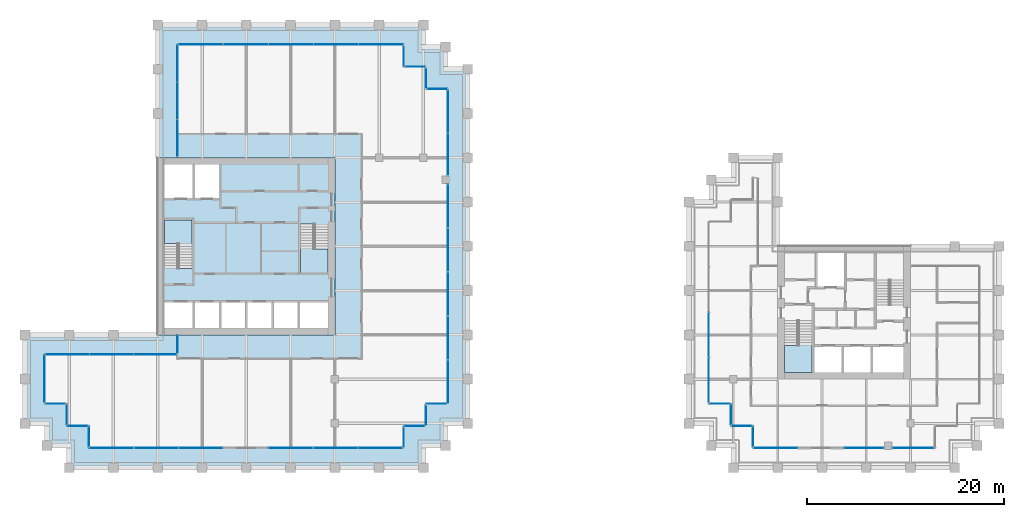
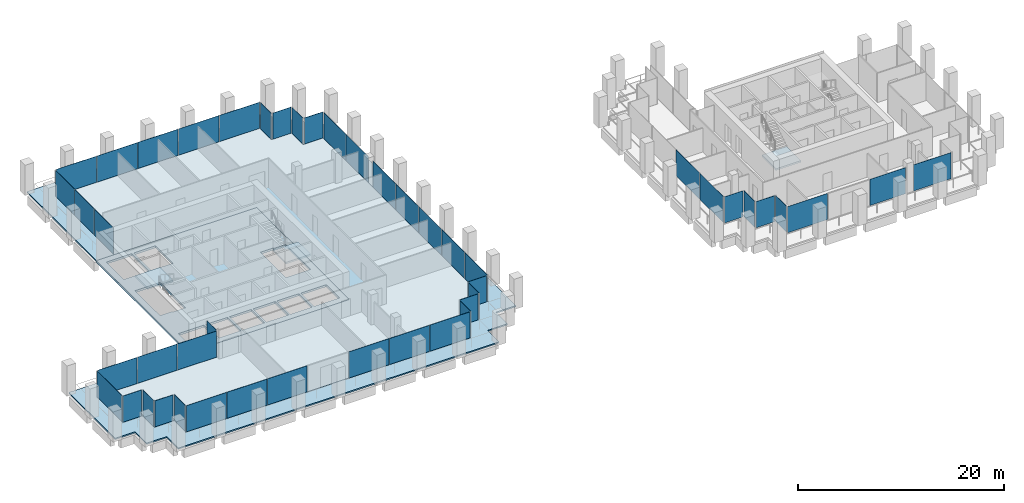
# One storey, part 39 of 47: 47 plates, 6 slabs, 32 elements without a shape of their own.
"""IFC4 building model written with IfcOpenShell, lengths in metres."""

from ifc_helpers import new_model, si_unit, direction, frame, origin, origin_2d, place, context, subcontext, project, spatial, polyline, rectangle, outline, extrude, material, layer, layer_set, type_object, element, aggregate, save


model = new_model("IFC4")

# Units and contexts
model_context = context("Model", 3, precision=1e-05, world=origin(), true_north=direction((0.0, 1.0)))
body_context = subcontext(model_context, "Body", "Model", "MODEL_VIEW")
ifc_project = project(units=[si_unit("LENGTHUNIT", "METRE"), si_unit("AREAUNIT", "SQUARE_METRE"), si_unit("VOLUMEUNIT", "CUBIC_METRE"), si_unit("PLANEANGLEUNIT", "RADIAN"), si_unit("MASSUNIT", "GRAM", prefix="KILO")], contexts=[model_context])

# Site, building, storey
site_placement = place(None, origin())
site = spatial("IfcSite", under=ifc_project, at=site_placement, CompositionType="ELEMENT")
building_placement = place(site_placement, origin())
building = spatial("IfcBuilding", under=site, at=building_placement, Name="Altepetl Exchange Towers", CompositionType="ELEMENT")
storey_placement = place(building_placement, frame((0.0, 0.0, 99.199951171875)))
storey = spatial("IfcBuildingStorey", under=building, at=storey_placement, Name="L24", CompositionType="ELEMENT", Elevation=99.199951171875)

# Slabs
ifc_material_1 = material(Name="Concrete C40/50", Category="concrete")
ifc_layer_1 = layer(ifc_material_1, 0.14990234375)
ifc_layer_set_1 = layer_set([ifc_layer_1], Name="Concrete C40/50")
slab_type_1 = type_object("IfcSlabType", Name="Composite floor slab 150", PredefinedType="FLOOR", material=ifc_layer_set_1)
slab_1_placement = place(storey_placement, frame((0.0, 0.0, -0.14990234375)))
element("IfcSlab", 1, at=slab_1_placement, inside=storey, type_object=slab_type_1, Name="slab:A:L24:strip0", PredefinedType="FLOOR", context=body_context, shape_type="SweptSolid", body=[
    extrude(outline(polyline([(42.5, 70.0), (42.5, 58.5), (58.5, 58.5), (58.5, 40.5), (42.5, 40.5), (42.5, 38.5), (29.0, 38.5), (29.0, 33.5), (31.25, 33.5), (31.25, 31.25), (33.5, 31.25), (33.5, 29.0), (65.5, 29.0), (65.5, 31.25), (67.75, 31.25), (67.75, 33.5), (70.0, 33.5), (70.0, 65.5), (67.75, 65.5), (67.75, 67.75), (65.5, 67.75), (65.5, 70.0), (42.5, 70.0)])), origin(), (0.0, 0.0, 1.0), 0.14990234375),
])
ifc_layer_2 = layer(ifc_material_1, 0.25)
ifc_layer_set_2 = layer_set([ifc_layer_2], Name="Concrete C40/50")
slab_type_2 = type_object("IfcSlabType", Name="Core floor slab 250", PredefinedType="FLOOR", material=ifc_layer_set_2)
slab_2_placement = place(storey_placement, frame((0.0, 0.0, -0.25)))
element("IfcSlab", 2, at=slab_2_placement, inside=storey, type_object=slab_type_2, Name="slab:A:L24:core0", PredefinedType="FLOOR", context=body_context, shape_type="SweptSolid", body=[
    extrude(outline(polyline([(40.5, 40.5), (58.5, 40.5), (58.5, 58.5), (40.5, 58.5), (40.5, 40.5)]), holes=[polyline([(41.199951171875, 43.800048828125), (44.06689453125, 43.800048828125), (44.06689453125, 41.199951171875), (41.199951171875, 41.199951171875), (41.199951171875, 43.800048828125)]), polyline([(44.26708984375, 43.800048828125), (46.73291015625, 43.800048828125), (46.73291015625, 41.199951171875), (44.26708984375, 41.199951171875), (44.26708984375, 43.800048828125)]), polyline([(46.93310546875, 43.800048828125), (49.39990234375, 43.800048828125), (49.39990234375, 41.199951171875), (46.93310546875, 41.199951171875), (46.93310546875, 43.800048828125)]), polyline([(52.06689453125, 43.800048828125), (52.06689453125, 41.199951171875), (49.60009765625, 41.199951171875), (49.60009765625, 43.800048828125), (52.06689453125, 43.800048828125)]), polyline([(54.73291015625, 43.800048828125), (54.73291015625, 41.199951171875), (52.26708984375, 41.199951171875), (52.26708984375, 43.800048828125), (54.73291015625, 43.800048828125)]), polyline([(54.93310546875, 43.800048828125), (57.800048828125, 43.800048828125), (57.800048828125, 41.199951171875), (54.93310546875, 41.199951171875), (54.93310546875, 43.800048828125)]), polyline([(55.0, 51.7490234375), (56.449951171875, 51.7490234375), (56.449951171875, 51.64990234375), (57.800048828125, 51.64990234375), (57.800048828125, 46.800048828125), (55.0, 46.800048828125), (55.0, 51.7490234375)]), polyline([(44.0, 47.2509765625), (42.550048828125, 47.2509765625), (42.550048828125, 47.35009765625), (41.199951171875, 47.35009765625), (41.199951171875, 52.199951171875), (44.0, 52.199951171875), (44.0, 47.2509765625)]), polyline([(44.06689453125, 57.800048828125), (44.06689453125, 54.39990234375), (41.199951171875, 54.39990234375), (41.199951171875, 57.800048828125), (44.06689453125, 57.800048828125)]), polyline([(46.73291015625, 57.800048828125), (46.73291015625, 54.39990234375), (44.26708984375, 54.39990234375), (44.26708984375, 57.800048828125), (46.73291015625, 57.800048828125)])]), origin(), (0.0, 0.0, 1.0), 0.25),
])

# Curtain wall, plate
ifc_material_2 = material(Name="Aluminium 6063-T6 glazing", Category="aluminium")
curtain_wall_type = type_object("IfcCurtainWallType", Name="Loggia glazing system", PredefinedType="NOTDEFINED", material=ifc_material_2)
curtain_wall_1_placement = place(storey_placement, origin())
curtain_wall_1 = element("IfcCurtainWall", 3, at=curtain_wall_1_placement, inside=storey, type_object=curtain_wall_type, Name="CW1 run", PredefinedType="NOTDEFINED")
ifc_material_3 = material(Name="Glass 6-16-6 low emissivity", Category="glass")
ifc_layer_3 = layer(ifc_material_3, 0.028076171875)
ifc_layer_set_3 = layer_set([ifc_layer_3], Name="Glass 6-16-6 low emissivity")
plate_type = type_object("IfcPlateType", Name="Glass panel 28 double glazed", PredefinedType="CURTAIN_PANEL", material=ifc_layer_set_3)
plate_1_placement = place(storey_placement, frame((42.5, 39.53759765625, 0.0), z_axis=(0.0, 0.0, 1.0), x_axis=(0.0, -1.0, 0.0)))
plate_1 = element("IfcPlate", 4, at=plate_1_placement, type_object=plate_type, Name="GP1 panel", PredefinedType="CURTAIN_PANEL", context=body_context, shape_type="SweptSolid", body=[
    extrude(rectangle(XDim=1.804931640625, YDim=0.028076171875, at=origin_2d()), origin(), (0.0, 0.0, 1.0), 3.10009765625),
])
aggregate(curtain_wall_1, [plate_1])

# Curtain wall, plates
curtain_wall_2_placement = place(storey_placement, origin())
curtain_wall_2 = element("IfcCurtainWall", 5, at=curtain_wall_2_placement, inside=storey, type_object=curtain_wall_type, Name="CW1 run", PredefinedType="NOTDEFINED")
plate_2_placement = place(storey_placement, frame((40.24755859375, 38.5, 0.0), z_axis=(0.0, 0.0, 1.0), x_axis=(-1.0, 0.0, 0.0)))
plate_2 = element("IfcPlate", 6, at=plate_2_placement, type_object=plate_type, Name="GP1 panel", PredefinedType="CURTAIN_PANEL", context=body_context, shape_type="SweptSolid", body=[
    extrude(rectangle(XDim=4.385009765625, YDim=0.028076171875, at=origin_2d()), origin(), (0.0, 0.0, 1.0), 3.10009765625),
])
plate_3_placement = place(storey_placement, frame((35.78759765625, 38.5, 0.0), z_axis=(0.0, 0.0, 1.0), x_axis=(-1.0, 0.0, 0.0)))
plate_3 = element("IfcPlate", 7, at=plate_3_placement, type_object=plate_type, Name="GP1 panel", PredefinedType="CURTAIN_PANEL", context=body_context, shape_type="SweptSolid", body=[
    extrude(rectangle(XDim=4.4150390625, YDim=0.028076171875, at=origin_2d()), origin(), (0.0, 0.0, 1.0), 3.10009765625),
])
plate_4_placement = place(storey_placement, frame((31.327392578125, 38.5, 0.0), z_axis=(0.0, 0.0, 1.0), x_axis=(-1.0, 0.0, 0.0)))
plate_4 = element("IfcPlate", 8, at=plate_4_placement, type_object=plate_type, Name="GP1 panel", PredefinedType="CURTAIN_PANEL", context=body_context, shape_type="SweptSolid", body=[
    extrude(rectangle(XDim=4.385009765625, YDim=0.028076171875, at=origin_2d()), origin(), (0.0, 0.0, 1.0), 3.10009765625),
])
aggregate(curtain_wall_2, [plate_2, plate_3, plate_4])

# Curtain wall, plate
curtain_wall_3_placement = place(storey_placement, origin())
curtain_wall_3 = element("IfcCurtainWall", 9, at=curtain_wall_3_placement, inside=storey, type_object=curtain_wall_type, Name="CW1 run", PredefinedType="NOTDEFINED")
plate_5_placement = place(storey_placement, frame((29.0, 36.03759765625, 0.0), z_axis=(0.0, 0.0, 1.0), x_axis=(0.0, -1.0, 0.0)))
plate_5 = element("IfcPlate", 10, at=plate_5_placement, type_object=plate_type, Name="GP1 panel", PredefinedType="CURTAIN_PANEL", context=body_context, shape_type="SweptSolid", body=[
    extrude(rectangle(XDim=4.804931640625, YDim=0.028076171875, at=origin_2d()), origin(), (0.0, 0.0, 1.0), 3.10009765625),
])
aggregate(curtain_wall_3, [plate_5])

curtain_wall_4_placement = place(storey_placement, origin())
curtain_wall_4 = element("IfcCurtainWall", 11, at=curtain_wall_4_placement, inside=storey, type_object=curtain_wall_type, Name="CW1 run", PredefinedType="NOTDEFINED")
plate_6_placement = place(storey_placement, frame((30.08740234375, 33.5, 0.0)))
plate_6 = element("IfcPlate", 12, at=plate_6_placement, type_object=plate_type, Name="GP1 panel", PredefinedType="CURTAIN_PANEL", context=body_context, shape_type="SweptSolid", body=[
    extrude(rectangle(XDim=2.054931640625, YDim=0.028076171875, at=origin_2d()), origin(), (0.0, 0.0, 1.0), 3.10009765625),
])
aggregate(curtain_wall_4, [plate_6])

curtain_wall_5_placement = place(storey_placement, origin())
curtain_wall_5 = element("IfcCurtainWall", 13, at=curtain_wall_5_placement, inside=storey, type_object=curtain_wall_type, Name="CW1 run", PredefinedType="NOTDEFINED")
plate_7_placement = place(storey_placement, frame((31.25, 32.41259765625, 0.0), z_axis=(0.0, 0.0, 1.0), x_axis=(0.0, -1.0, 0.0)))
plate_7 = element("IfcPlate", 14, at=plate_7_placement, type_object=plate_type, Name="GP1 panel", PredefinedType="CURTAIN_PANEL", context=body_context, shape_type="SweptSolid", body=[
    extrude(rectangle(XDim=2.054931640625, YDim=0.028076171875, at=origin_2d()), origin(), (0.0, 0.0, 1.0), 3.10009765625),
])
aggregate(curtain_wall_5, [plate_7])

curtain_wall_6_placement = place(storey_placement, origin())
curtain_wall_6 = element("IfcCurtainWall", 15, at=curtain_wall_6_placement, inside=storey, type_object=curtain_wall_type, Name="CW1 run", PredefinedType="NOTDEFINED")
plate_8_placement = place(storey_placement, frame((32.33740234375, 31.25, 0.0)))
plate_8 = element("IfcPlate", 16, at=plate_8_placement, type_object=plate_type, Name="GP1 panel", PredefinedType="CURTAIN_PANEL", context=body_context, shape_type="SweptSolid", body=[
    extrude(rectangle(XDim=2.054931640625, YDim=0.028076171875, at=origin_2d()), origin(), (0.0, 0.0, 1.0), 3.10009765625),
])
aggregate(curtain_wall_6, [plate_8])

curtain_wall_7_placement = place(storey_placement, origin())
curtain_wall_7 = element("IfcCurtainWall", 17, at=curtain_wall_7_placement, inside=storey, type_object=curtain_wall_type, Name="CW1 run", PredefinedType="NOTDEFINED")
plate_9_placement = place(storey_placement, frame((33.5, 30.16259765625, 0.0), z_axis=(0.0, 0.0, 1.0), x_axis=(0.0, -1.0, 0.0)))
plate_9 = element("IfcPlate", 18, at=plate_9_placement, type_object=plate_type, Name="GP1 panel", PredefinedType="CURTAIN_PANEL", context=body_context, shape_type="SweptSolid", body=[
    extrude(rectangle(XDim=2.054931640625, YDim=0.028076171875, at=origin_2d()), origin(), (0.0, 0.0, 1.0), 3.10009765625),
])
aggregate(curtain_wall_7, [plate_9])

# Curtain wall, plates
curtain_wall_8_placement = place(storey_placement, origin())
curtain_wall_8 = element("IfcCurtainWall", 19, at=curtain_wall_8_placement, inside=storey, type_object=curtain_wall_type, Name="CW1 run", PredefinedType="NOTDEFINED")
plate_10_placement = place(storey_placement, frame((35.79541015625, 29.0, 0.0)))
plate_10 = element("IfcPlate", 20, at=plate_10_placement, type_object=plate_type, Name="GP1 panel", PredefinedType="CURTAIN_PANEL", context=body_context, shape_type="SweptSolid", body=[
    extrude(rectangle(XDim=4.470703125, YDim=0.028076171875, at=origin_2d()), origin(), (0.0, 0.0, 1.0), 3.10009765625),
])
plate_11_placement = place(storey_placement, frame((40.341064453125, 29.0, 0.0)))
plate_11 = element("IfcPlate", 21, at=plate_11_placement, type_object=plate_type, Name="GP1 panel", PredefinedType="CURTAIN_PANEL", context=body_context, shape_type="SweptSolid", body=[
    extrude(rectangle(XDim=4.500732421875, YDim=0.028076171875, at=origin_2d()), origin(), (0.0, 0.0, 1.0), 3.10009765625),
])
plate_12_placement = place(storey_placement, frame((44.88671875, 29.0, 0.0)))
plate_12 = element("IfcPlate", 22, at=plate_12_placement, type_object=plate_type, Name="GP1 panel", PredefinedType="CURTAIN_PANEL", context=body_context, shape_type="SweptSolid", body=[
    extrude(rectangle(XDim=4.470703125, YDim=0.028076171875, at=origin_2d()), origin(), (0.0, 0.0, 1.0), 3.10009765625),
])
aggregate(curtain_wall_8, [plate_10, plate_11, plate_12])

curtain_wall_9_placement = place(storey_placement, origin())
curtain_wall_9 = element("IfcCurtainWall", 23, at=curtain_wall_9_placement, inside=storey, type_object=curtain_wall_type, Name="CW1 run", PredefinedType="NOTDEFINED")
plate_13_placement = place(storey_placement, frame((54.038330078125, 29.0, 0.0)))
plate_13 = element("IfcPlate", 24, at=plate_13_placement, type_object=plate_type, Name="GP1 panel", PredefinedType="CURTAIN_PANEL", context=body_context, shape_type="SweptSolid", body=[
    extrude(rectangle(XDim=4.470703125, YDim=0.028076171875, at=origin_2d()), origin(), (0.0, 0.0, 1.0), 3.10009765625),
])
plate_14_placement = place(storey_placement, frame((58.583984375, 29.0, 0.0)))
plate_14 = element("IfcPlate", 25, at=plate_14_placement, type_object=plate_type, Name="GP1 panel", PredefinedType="CURTAIN_PANEL", context=body_context, shape_type="SweptSolid", body=[
    extrude(rectangle(XDim=4.500732421875, YDim=0.028076171875, at=origin_2d()), origin(), (0.0, 0.0, 1.0), 3.10009765625),
])
plate_15_placement = place(storey_placement, frame((63.129638671875, 29.0, 0.0)))
plate_15 = element("IfcPlate", 26, at=plate_15_placement, type_object=plate_type, Name="GP1 panel", PredefinedType="CURTAIN_PANEL", context=body_context, shape_type="SweptSolid", body=[
    extrude(rectangle(XDim=4.470703125, YDim=0.028076171875, at=origin_2d()), origin(), (0.0, 0.0, 1.0), 3.10009765625),
])
aggregate(curtain_wall_9, [plate_13, plate_14, plate_15])

# Curtain wall, plate
curtain_wall_10_placement = place(storey_placement, origin())
curtain_wall_10 = element("IfcCurtainWall", 27, at=curtain_wall_10_placement, inside=storey, type_object=curtain_wall_type, Name="CW1 run", PredefinedType="NOTDEFINED")
plate_16_placement = place(storey_placement, frame((65.5, 30.08740234375, 0.0), z_axis=(0.0, 0.0, 1.0), x_axis=(0.0, 1.0, 0.0)))
plate_16 = element("IfcPlate", 28, at=plate_16_placement, type_object=plate_type, Name="GP1 panel", PredefinedType="CURTAIN_PANEL", context=body_context, shape_type="SweptSolid", body=[
    extrude(rectangle(XDim=2.054931640625, YDim=0.028076171875, at=origin_2d()), origin(), (0.0, 0.0, 1.0), 3.10009765625),
])
aggregate(curtain_wall_10, [plate_16])

curtain_wall_11_placement = place(storey_placement, origin())
curtain_wall_11 = element("IfcCurtainWall", 29, at=curtain_wall_11_placement, inside=storey, type_object=curtain_wall_type, Name="CW1 run", PredefinedType="NOTDEFINED")
plate_17_placement = place(storey_placement, frame((66.58740234375, 31.25, 0.0)))
plate_17 = element("IfcPlate", 30, at=plate_17_placement, type_object=plate_type, Name="GP1 panel", PredefinedType="CURTAIN_PANEL", context=body_context, shape_type="SweptSolid", body=[
    extrude(rectangle(XDim=2.054931640625, YDim=0.028076171875, at=origin_2d()), origin(), (0.0, 0.0, 1.0), 3.10009765625),
])
aggregate(curtain_wall_11, [plate_17])

curtain_wall_12_placement = place(storey_placement, origin())
curtain_wall_12 = element("IfcCurtainWall", 31, at=curtain_wall_12_placement, inside=storey, type_object=curtain_wall_type, Name="CW1 run", PredefinedType="NOTDEFINED")
plate_18_placement = place(storey_placement, frame((67.75, 32.33740234375, 0.0), z_axis=(0.0, 0.0, 1.0), x_axis=(0.0, 1.0, 0.0)))
plate_18 = element("IfcPlate", 32, at=plate_18_placement, type_object=plate_type, Name="GP1 panel", PredefinedType="CURTAIN_PANEL", context=body_context, shape_type="SweptSolid", body=[
    extrude(rectangle(XDim=2.054931640625, YDim=0.028076171875, at=origin_2d()), origin(), (0.0, 0.0, 1.0), 3.10009765625),
])
aggregate(curtain_wall_12, [plate_18])

curtain_wall_13_placement = place(storey_placement, origin())
curtain_wall_13 = element("IfcCurtainWall", 33, at=curtain_wall_13_placement, inside=storey, type_object=curtain_wall_type, Name="CW1 run", PredefinedType="NOTDEFINED")
plate_19_placement = place(storey_placement, frame((68.83740234375, 33.5, 0.0)))
plate_19 = element("IfcPlate", 34, at=plate_19_placement, type_object=plate_type, Name="GP1 panel", PredefinedType="CURTAIN_PANEL", context=body_context, shape_type="SweptSolid", body=[
    extrude(rectangle(XDim=2.054931640625, YDim=0.028076171875, at=origin_2d()), origin(), (0.0, 0.0, 1.0), 3.10009765625),
])
aggregate(curtain_wall_13, [plate_19])

# Curtain wall, plates
curtain_wall_14_placement = place(storey_placement, origin())
curtain_wall_14 = element("IfcCurtainWall", 35, at=curtain_wall_14_placement, inside=storey, type_object=curtain_wall_type, Name="CW1 run", PredefinedType="NOTDEFINED")
plate_20_placement = place(storey_placement, frame((70.0, 35.75048828125, 0.0), z_axis=(0.0, 0.0, 1.0), x_axis=(0.0, 1.0, 0.0)))
plate_20 = element("IfcPlate", 36, at=plate_20_placement, type_object=plate_type, Name="GP1 panel", PredefinedType="CURTAIN_PANEL", context=body_context, shape_type="SweptSolid", body=[
    extrude(rectangle(XDim=4.381103515625, YDim=0.028076171875, at=origin_2d()), origin(), (0.0, 0.0, 1.0), 3.10009765625),
])
plate_21_placement = place(storey_placement, frame((70.0, 40.20654296875, 0.0), z_axis=(0.0, 0.0, 1.0), x_axis=(0.0, 1.0, 0.0)))
plate_21 = element("IfcPlate", 37, at=plate_21_placement, type_object=plate_type, Name="GP1 panel", PredefinedType="CURTAIN_PANEL", context=body_context, shape_type="SweptSolid", body=[
    extrude(rectangle(XDim=4.410888671875, YDim=0.028076171875, at=origin_2d()), origin(), (0.0, 0.0, 1.0), 3.10009765625),
])
plate_22_placement = place(storey_placement, frame((70.0, 44.677490234375, 0.0), z_axis=(0.0, 0.0, 1.0), x_axis=(0.0, 1.0, 0.0)))
plate_22 = element("IfcPlate", 38, at=plate_22_placement, type_object=plate_type, Name="GP1 panel", PredefinedType="CURTAIN_PANEL", context=body_context, shape_type="SweptSolid", body=[
    extrude(rectangle(XDim=4.410888671875, YDim=0.028076171875, at=origin_2d()), origin(), (0.0, 0.0, 1.0), 3.10009765625),
])
plate_23_placement = place(storey_placement, frame((70.0, 49.1484375, 0.0), z_axis=(0.0, 0.0, 1.0), x_axis=(0.0, 1.0, 0.0)))
plate_23 = element("IfcPlate", 39, at=plate_23_placement, type_object=plate_type, Name="GP1 panel", PredefinedType="CURTAIN_PANEL", context=body_context, shape_type="SweptSolid", body=[
    extrude(rectangle(XDim=4.410888671875, YDim=0.028076171875, at=origin_2d()), origin(), (0.0, 0.0, 1.0), 3.10009765625),
])
plate_24_placement = place(storey_placement, frame((70.0, 53.6044921875, 0.0), z_axis=(0.0, 0.0, 1.0), x_axis=(0.0, 1.0, 0.0)))
plate_24 = element("IfcPlate", 40, at=plate_24_placement, type_object=plate_type, Name="GP1 panel", PredefinedType="CURTAIN_PANEL", context=body_context, shape_type="SweptSolid", body=[
    extrude(rectangle(XDim=4.381103515625, YDim=0.028076171875, at=origin_2d()), origin(), (0.0, 0.0, 1.0), 3.10009765625),
])
aggregate(curtain_wall_14, [plate_20, plate_21, plate_22, plate_23, plate_24])

curtain_wall_15_placement = place(storey_placement, origin())
curtain_wall_15 = element("IfcCurtainWall", 41, at=curtain_wall_15_placement, inside=storey, type_object=curtain_wall_type, Name="CW1 run", PredefinedType="NOTDEFINED")
plate_25_placement = place(storey_placement, frame((70.0, 58.85498046875, 0.0), z_axis=(0.0, 0.0, 1.0), x_axis=(0.0, 1.0, 0.0)))
plate_25 = element("IfcPlate", 42, at=plate_25_placement, type_object=plate_type, Name="GP1 panel", PredefinedType="CURTAIN_PANEL", context=body_context, shape_type="SweptSolid", body=[
    extrude(rectangle(XDim=4.300048828125, YDim=0.028076171875, at=origin_2d()), origin(), (0.0, 0.0, 1.0), 3.10009765625),
])
plate_26_placement = place(storey_placement, frame((70.0, 63.215087890625, 0.0), z_axis=(0.0, 0.0, 1.0), x_axis=(0.0, 1.0, 0.0)))
plate_26 = element("IfcPlate", 43, at=plate_26_placement, type_object=plate_type, Name="GP1 panel", PredefinedType="CURTAIN_PANEL", context=body_context, shape_type="SweptSolid", body=[
    extrude(rectangle(XDim=4.300048828125, YDim=0.028076171875, at=origin_2d()), origin(), (0.0, 0.0, 1.0), 3.10009765625),
])
aggregate(curtain_wall_15, [plate_25, plate_26])

# Curtain wall, plate
curtain_wall_16_placement = place(storey_placement, origin())
curtain_wall_16 = element("IfcCurtainWall", 44, at=curtain_wall_16_placement, inside=storey, type_object=curtain_wall_type, Name="CW1 run", PredefinedType="NOTDEFINED")
plate_27_placement = place(storey_placement, frame((68.91259765625, 65.5, 0.0), z_axis=(0.0, 0.0, 1.0), x_axis=(-1.0, 0.0, 0.0)))
plate_27 = element("IfcPlate", 45, at=plate_27_placement, type_object=plate_type, Name="GP1 panel", PredefinedType="CURTAIN_PANEL", context=body_context, shape_type="SweptSolid", body=[
    extrude(rectangle(XDim=2.054931640625, YDim=0.028076171875, at=origin_2d()), origin(), (0.0, 0.0, 1.0), 3.10009765625),
])
aggregate(curtain_wall_16, [plate_27])

curtain_wall_17_placement = place(storey_placement, origin())
curtain_wall_17 = element("IfcCurtainWall", 46, at=curtain_wall_17_placement, inside=storey, type_object=curtain_wall_type, Name="CW1 run", PredefinedType="NOTDEFINED")
plate_28_placement = place(storey_placement, frame((67.75, 66.58740234375, 0.0), z_axis=(0.0, 0.0, 1.0), x_axis=(0.0, 1.0, 0.0)))
plate_28 = element("IfcPlate", 47, at=plate_28_placement, type_object=plate_type, Name="GP1 panel", PredefinedType="CURTAIN_PANEL", context=body_context, shape_type="SweptSolid", body=[
    extrude(rectangle(XDim=2.054931640625, YDim=0.028076171875, at=origin_2d()), origin(), (0.0, 0.0, 1.0), 3.10009765625),
])
aggregate(curtain_wall_17, [plate_28])

curtain_wall_18_placement = place(storey_placement, origin())
curtain_wall_18 = element("IfcCurtainWall", 48, at=curtain_wall_18_placement, inside=storey, type_object=curtain_wall_type, Name="CW1 run", PredefinedType="NOTDEFINED")
plate_29_placement = place(storey_placement, frame((66.66259765625, 67.75, 0.0), z_axis=(0.0, 0.0, 1.0), x_axis=(-1.0, 0.0, 0.0)))
plate_29 = element("IfcPlate", 49, at=plate_29_placement, type_object=plate_type, Name="GP1 panel", PredefinedType="CURTAIN_PANEL", context=body_context, shape_type="SweptSolid", body=[
    extrude(rectangle(XDim=2.054931640625, YDim=0.028076171875, at=origin_2d()), origin(), (0.0, 0.0, 1.0), 3.10009765625),
])
aggregate(curtain_wall_18, [plate_29])

curtain_wall_19_placement = place(storey_placement, origin())
curtain_wall_19 = element("IfcCurtainWall", 50, at=curtain_wall_19_placement, inside=storey, type_object=curtain_wall_type, Name="CW1 run", PredefinedType="NOTDEFINED")
plate_30_placement = place(storey_placement, frame((65.5, 68.83740234375, 0.0), z_axis=(0.0, 0.0, 1.0), x_axis=(0.0, 1.0, 0.0)))
plate_30 = element("IfcPlate", 51, at=plate_30_placement, type_object=plate_type, Name="GP1 panel", PredefinedType="CURTAIN_PANEL", context=body_context, shape_type="SweptSolid", body=[
    extrude(rectangle(XDim=2.054931640625, YDim=0.028076171875, at=origin_2d()), origin(), (0.0, 0.0, 1.0), 3.10009765625),
])
aggregate(curtain_wall_19, [plate_30])

# Curtain wall, plates
curtain_wall_20_placement = place(storey_placement, origin())
curtain_wall_20 = element("IfcCurtainWall", 52, at=curtain_wall_20_placement, inside=storey, type_object=curtain_wall_type, Name="CW1 run", PredefinedType="NOTDEFINED")
plate_31_placement = place(storey_placement, frame((63.1923828125, 70.0, 0.0), z_axis=(0.0, 0.0, 1.0), x_axis=(-1.0, 0.0, 0.0)))
plate_31 = element("IfcPlate", 53, at=plate_31_placement, type_object=plate_type, Name="GP1 panel", PredefinedType="CURTAIN_PANEL", context=body_context, shape_type="SweptSolid", body=[
    extrude(rectangle(XDim=4.4951171875, YDim=0.028076171875, at=origin_2d()), origin(), (0.0, 0.0, 1.0), 3.10009765625),
])
plate_32_placement = place(storey_placement, frame((58.62255859375, 70.0, 0.0), z_axis=(0.0, 0.0, 1.0), x_axis=(-1.0, 0.0, 0.0)))
plate_32 = element("IfcPlate", 54, at=plate_32_placement, type_object=plate_type, Name="GP1 panel", PredefinedType="CURTAIN_PANEL", context=body_context, shape_type="SweptSolid", body=[
    extrude(rectangle(XDim=4.52490234375, YDim=0.028076171875, at=origin_2d()), origin(), (0.0, 0.0, 1.0), 3.10009765625),
])
plate_33_placement = place(storey_placement, frame((54.03759765625, 70.0, 0.0), z_axis=(0.0, 0.0, 1.0), x_axis=(-1.0, 0.0, 0.0)))
plate_33 = element("IfcPlate", 55, at=plate_33_placement, type_object=plate_type, Name="GP1 panel", PredefinedType="CURTAIN_PANEL", context=body_context, shape_type="SweptSolid", body=[
    extrude(rectangle(XDim=4.52490234375, YDim=0.028076171875, at=origin_2d()), origin(), (0.0, 0.0, 1.0), 3.10009765625),
])
plate_34_placement = place(storey_placement, frame((49.452392578125, 70.0, 0.0), z_axis=(0.0, 0.0, 1.0), x_axis=(-1.0, 0.0, 0.0)))
plate_34 = element("IfcPlate", 56, at=plate_34_placement, type_object=plate_type, Name="GP1 panel", PredefinedType="CURTAIN_PANEL", context=body_context, shape_type="SweptSolid", body=[
    extrude(rectangle(XDim=4.52490234375, YDim=0.028076171875, at=origin_2d()), origin(), (0.0, 0.0, 1.0), 3.10009765625),
])
plate_35_placement = place(storey_placement, frame((44.882568359375, 70.0, 0.0), z_axis=(0.0, 0.0, 1.0), x_axis=(-1.0, 0.0, 0.0)))
plate_35 = element("IfcPlate", 57, at=plate_35_placement, type_object=plate_type, Name="GP1 panel", PredefinedType="CURTAIN_PANEL", context=body_context, shape_type="SweptSolid", body=[
    extrude(rectangle(XDim=4.4951171875, YDim=0.028076171875, at=origin_2d()), origin(), (0.0, 0.0, 1.0), 3.10009765625),
])
aggregate(curtain_wall_20, [plate_31, plate_32, plate_33, plate_34, plate_35])

curtain_wall_21_placement = place(storey_placement, origin())
curtain_wall_21 = element("IfcCurtainWall", 58, at=curtain_wall_21_placement, inside=storey, type_object=curtain_wall_type, Name="CW1 run", PredefinedType="NOTDEFINED")
plate_36_placement = place(storey_placement, frame((42.5, 68.080810546875, 0.0), z_axis=(0.0, 0.0, 1.0), x_axis=(0.0, -1.0, 0.0)))
plate_36 = element("IfcPlate", 59, at=plate_36_placement, type_object=plate_type, Name="GP1 panel", PredefinedType="CURTAIN_PANEL", context=body_context, shape_type="SweptSolid", body=[
    extrude(rectangle(XDim=3.71826171875, YDim=0.028076171875, at=origin_2d()), origin(), (0.0, 0.0, 1.0), 3.10009765625),
])
plate_37_placement = place(storey_placement, frame((42.5, 64.28759765625, 0.0), z_axis=(0.0, 0.0, 1.0), x_axis=(0.0, -1.0, 0.0)))
plate_37 = element("IfcPlate", 60, at=plate_37_placement, type_object=plate_type, Name="GP1 panel", PredefinedType="CURTAIN_PANEL", context=body_context, shape_type="SweptSolid", body=[
    extrude(rectangle(XDim=3.748291015625, YDim=0.028076171875, at=origin_2d()), origin(), (0.0, 0.0, 1.0), 3.10009765625),
])
plate_38_placement = place(storey_placement, frame((42.5, 60.494140625, 0.0), z_axis=(0.0, 0.0, 1.0), x_axis=(0.0, -1.0, 0.0)))
plate_38 = element("IfcPlate", 61, at=plate_38_placement, type_object=plate_type, Name="GP1 panel", PredefinedType="CURTAIN_PANEL", context=body_context, shape_type="SweptSolid", body=[
    extrude(rectangle(XDim=3.71826171875, YDim=0.028076171875, at=origin_2d()), origin(), (0.0, 0.0, 1.0), 3.10009765625),
])
aggregate(curtain_wall_21, [plate_36, plate_37, plate_38])

curtain_wall_22_placement = place(storey_placement, origin())
curtain_wall_22 = element("IfcCurtainWall", 62, at=curtain_wall_22_placement, inside=storey, type_object=curtain_wall_type, Name="CW1 run", PredefinedType="NOTDEFINED")
plate_39_placement = place(storey_placement, frame((96.5, 40.484375, 0.0), z_axis=(0.0, 0.0, 1.0), x_axis=(0.0, -1.0, 0.0)))
plate_39 = element("IfcPlate", 63, at=plate_39_placement, type_object=plate_type, Name="GP1 panel", PredefinedType="CURTAIN_PANEL", context=body_context, shape_type="SweptSolid", body=[
    extrude(rectangle(XDim=4.546142578125, YDim=0.028076171875, at=origin_2d()), origin(), (0.0, 0.0, 1.0), 3.10009765625),
])
plate_40_placement = place(storey_placement, frame((96.5, 35.89306640625, 0.0), z_axis=(0.0, 0.0, 1.0), x_axis=(0.0, -1.0, 0.0)))
plate_40 = element("IfcPlate", 64, at=plate_40_placement, type_object=plate_type, Name="GP1 panel", PredefinedType="CURTAIN_PANEL", context=body_context, shape_type="SweptSolid", body=[
    extrude(rectangle(XDim=4.516357421875, YDim=0.028076171875, at=origin_2d()), origin(), (0.0, 0.0, 1.0), 3.10009765625),
])
aggregate(curtain_wall_22, [plate_39, plate_40])

# Curtain wall, plate
curtain_wall_23_placement = place(storey_placement, origin())
curtain_wall_23 = element("IfcCurtainWall", 65, at=curtain_wall_23_placement, inside=storey, type_object=curtain_wall_type, Name="CW1 run", PredefinedType="NOTDEFINED")
plate_41_placement = place(storey_placement, frame((97.58740234375, 33.5, 0.0)))
plate_41 = element("IfcPlate", 66, at=plate_41_placement, type_object=plate_type, Name="GP1 panel", PredefinedType="CURTAIN_PANEL", context=body_context, shape_type="SweptSolid", body=[
    extrude(rectangle(XDim=2.054931640625, YDim=0.028076171875, at=origin_2d()), origin(), (0.0, 0.0, 1.0), 3.10009765625),
])
aggregate(curtain_wall_23, [plate_41])

curtain_wall_24_placement = place(storey_placement, origin())
curtain_wall_24 = element("IfcCurtainWall", 67, at=curtain_wall_24_placement, inside=storey, type_object=curtain_wall_type, Name="CW1 run", PredefinedType="NOTDEFINED")
plate_42_placement = place(storey_placement, frame((98.75, 32.41259765625, 0.0), z_axis=(0.0, 0.0, 1.0), x_axis=(0.0, -1.0, 0.0)))
plate_42 = element("IfcPlate", 68, at=plate_42_placement, type_object=plate_type, Name="GP1 panel", PredefinedType="CURTAIN_PANEL", context=body_context, shape_type="SweptSolid", body=[
    extrude(rectangle(XDim=2.054931640625, YDim=0.028076171875, at=origin_2d()), origin(), (0.0, 0.0, 1.0), 3.10009765625),
])
aggregate(curtain_wall_24, [plate_42])

curtain_wall_25_placement = place(storey_placement, origin())
curtain_wall_25 = element("IfcCurtainWall", 69, at=curtain_wall_25_placement, inside=storey, type_object=curtain_wall_type, Name="CW1 run", PredefinedType="NOTDEFINED")
plate_43_placement = place(storey_placement, frame((99.83740234375, 31.25, 0.0)))
plate_43 = element("IfcPlate", 70, at=plate_43_placement, type_object=plate_type, Name="GP1 panel", PredefinedType="CURTAIN_PANEL", context=body_context, shape_type="SweptSolid", body=[
    extrude(rectangle(XDim=2.054931640625, YDim=0.028076171875, at=origin_2d()), origin(), (0.0, 0.0, 1.0), 3.10009765625),
])
aggregate(curtain_wall_25, [plate_43])

curtain_wall_26_placement = place(storey_placement, origin())
curtain_wall_26 = element("IfcCurtainWall", 71, at=curtain_wall_26_placement, inside=storey, type_object=curtain_wall_type, Name="CW1 run", PredefinedType="NOTDEFINED")
plate_44_placement = place(storey_placement, frame((101.0, 30.16259765625, 0.0), z_axis=(0.0, 0.0, 1.0), x_axis=(0.0, -1.0, 0.0)))
plate_44 = element("IfcPlate", 72, at=plate_44_placement, type_object=plate_type, Name="GP1 panel", PredefinedType="CURTAIN_PANEL", context=body_context, shape_type="SweptSolid", body=[
    extrude(rectangle(XDim=2.054931640625, YDim=0.028076171875, at=origin_2d()), origin(), (0.0, 0.0, 1.0), 3.10009765625),
])
aggregate(curtain_wall_26, [plate_44])

curtain_wall_27_placement = place(storey_placement, origin())
curtain_wall_27 = element("IfcCurtainWall", 73, at=curtain_wall_27_placement, inside=storey, type_object=curtain_wall_type, Name="CW1 run", PredefinedType="NOTDEFINED")
plate_45_placement = place(storey_placement, frame((103.30322265625, 29.0, 0.0)))
plate_45 = element("IfcPlate", 74, at=plate_45_placement, type_object=plate_type, Name="GP1 panel", PredefinedType="CURTAIN_PANEL", context=body_context, shape_type="SweptSolid", body=[
    extrude(rectangle(XDim=4.486328125, YDim=0.028076171875, at=origin_2d()), origin(), (0.0, 0.0, 1.0), 3.10009765625),
])
aggregate(curtain_wall_27, [plate_45])

curtain_wall_28_placement = place(storey_placement, origin())
curtain_wall_28 = element("IfcCurtainWall", 75, at=curtain_wall_28_placement, inside=storey, type_object=curtain_wall_type, Name="CW1 run", PredefinedType="NOTDEFINED")
plate_46_placement = place(storey_placement, frame((112.28369140625, 29.0, 0.0)))
plate_46 = element("IfcPlate", 76, at=plate_46_placement, type_object=plate_type, Name="GP1 panel", PredefinedType="CURTAIN_PANEL", context=body_context, shape_type="SweptSolid", body=[
    extrude(rectangle(XDim=4.0224609375, YDim=0.028076171875, at=origin_2d()), origin(), (0.0, 0.0, 1.0), 3.10009765625),
])
aggregate(curtain_wall_28, [plate_46])

curtain_wall_29_placement = place(storey_placement, origin())
curtain_wall_29 = element("IfcCurtainWall", 77, at=curtain_wall_29_placement, inside=storey, type_object=curtain_wall_type, Name="CW1 run", PredefinedType="NOTDEFINED")
plate_47_placement = place(storey_placement, frame((117.284912109375, 29.0, 0.0)))
plate_47 = element("IfcPlate", 78, at=plate_47_placement, type_object=plate_type, Name="GP1 panel", PredefinedType="CURTAIN_PANEL", context=body_context, shape_type="SweptSolid", body=[
    extrude(rectangle(XDim=4.159912109375, YDim=0.028076171875, at=origin_2d()), origin(), (0.0, 0.0, 1.0), 3.10009765625),
])
aggregate(curtain_wall_29, [plate_47])

# Slab
ifc_layer_4 = layer(ifc_material_1, 0.14990234375)
ifc_layer_set_4 = layer_set([ifc_layer_4], Name="Concrete C40/50")
slab_type_3 = type_object("IfcSlabType", Name="Loggia slab 150", PredefinedType="FLOOR", material=ifc_layer_set_4)
slab_3_placement = place(storey_placement, frame((0.0, 0.0, -0.14990234375)))
element("IfcSlab", 79, at=slab_3_placement, inside=storey, type_object=slab_type_3, Name="slab:A:L24:loggia0", PredefinedType="FLOOR", context=body_context, shape_type="SweptSolid", body=[
    extrude(outline(polyline([(40.5, 72.0), (40.5, 58.5), (42.5, 58.5), (42.5, 70.0), (65.5, 70.0), (65.5, 67.75), (67.75, 67.75), (67.75, 65.5), (70.0, 65.5), (70.0, 33.5), (67.75, 33.5), (67.75, 31.25), (65.5, 31.25), (65.5, 29.0), (33.5, 29.0), (33.5, 31.25), (31.25, 31.25), (31.25, 33.5), (29.0, 33.5), (29.0, 38.5), (42.5, 38.5), (42.5, 40.5), (40.5, 40.5), (27.0, 40.5), (27.0, 31.5), (29.25, 31.5), (29.25, 29.25), (31.5, 29.25), (31.5, 27.0), (58.5, 27.0), (67.5, 27.0), (67.5, 29.25), (69.75, 29.25), (69.75, 31.5), (72.0, 31.5), (72.0, 58.5), (72.0, 67.5), (69.75, 67.5), (69.75, 69.75), (67.5, 69.75), (67.5, 72.0), (40.5, 72.0)])), origin(), (0.0, 0.0, 1.0), 0.14990234375),
])

# Stair, slab
stair_type = type_object("IfcStairType", Name="Exit stair 1350 flights dogleg", PredefinedType="HALF_TURN_STAIR", material=ifc_material_1)
stair_1_placement = place(storey_placement, origin())
stair_1 = element("IfcStair", 80, at=stair_1_placement, inside=storey, type_object=stair_type, Name="Exit stair 1", PredefinedType="HALF_TURN_STAIR")
ifc_layer_5 = layer(ifc_material_1, 0.199951171875)
ifc_layer_set_5 = layer_set([ifc_layer_5], Name="Concrete C40/50")
slab_type_4 = type_object("IfcSlabType", Name="Stair landing 200 reinforced concrete", PredefinedType="LANDING", material=ifc_layer_set_5)
slab_4_placement = place(storey_placement, frame((0.0, 0.0, 1.60009765625)))
slab_4 = element("IfcSlab", 81, at=slab_4_placement, type_object=slab_type_4, Name="ST-A1d landing 1", PredefinedType="LANDING", context=body_context, shape_type="SweptSolid", body=[
    extrude(outline(polyline([(44.0, 49.669921875), (42.64990234375, 49.669921875), (42.64990234375, 49.77001953125), (42.550048828125, 49.77001953125), (42.550048828125, 49.769287109375), (41.199951171875, 49.769287109375), (41.199951171875, 49.77001953125), (41.199951171875, 52.199951171875), (44.0, 52.199951171875), (44.0, 49.77001953125), (44.0, 49.669921875)])), origin(), (0.0, 0.0, 1.0), 0.199951171875),
])
aggregate(stair_1, [slab_4])

stair_2_placement = place(storey_placement, origin())
stair_2 = element("IfcStair", 82, at=stair_2_placement, inside=storey, type_object=stair_type, Name="Exit stair 2", PredefinedType="HALF_TURN_STAIR")
slab_5_placement = place(storey_placement, frame((0.0, 0.0, 1.60009765625)))
slab_5 = element("IfcSlab", 83, at=slab_5_placement, type_object=slab_type_4, Name="ST-A2d landing 1", PredefinedType="LANDING", context=body_context, shape_type="SweptSolid", body=[
    extrude(outline(polyline([(57.800048828125, 46.800048828125), (55.0, 46.800048828125), (55.0, 49.22998046875), (55.0, 49.330078125), (56.35009765625, 49.330078125), (56.35009765625, 49.22998046875), (56.449951171875, 49.22998046875), (56.449951171875, 49.230712890625), (57.800048828125, 49.230712890625), (57.800048828125, 49.22998046875), (57.800048828125, 46.800048828125)])), origin(), (0.0, 0.0, 1.0), 0.199951171875),
])
aggregate(stair_2, [slab_5])

stair_3_placement = place(storey_placement, origin())
stair_3 = element("IfcStair", 84, at=stair_3_placement, inside=storey, type_object=stair_type, Name="Exit stair 1", PredefinedType="HALF_TURN_STAIR")
slab_6_placement = place(storey_placement, frame((0.0, 0.0, 1.60009765625)))
slab_6 = element("IfcSlab", 85, at=slab_6_placement, type_object=slab_type_4, Name="ST-B1d landing 1", PredefinedType="LANDING", context=body_context, shape_type="SweptSolid", body=[
    extrude(outline(polyline([(107.0, 36.699951171875), (104.199951171875, 36.699951171875), (104.199951171875, 39.429931640625), (104.199951171875, 39.4306640625), (105.550048828125, 39.4306640625), (105.550048828125, 39.429931640625), (105.64990234375, 39.429931640625), (105.64990234375, 39.530029296875), (107.0, 39.530029296875), (107.0, 39.429931640625), (107.0, 36.699951171875)])), origin(), (0.0, 0.0, 1.0), 0.199951171875),
])
aggregate(stair_3, [slab_6])

save(model, "model.ifc")
